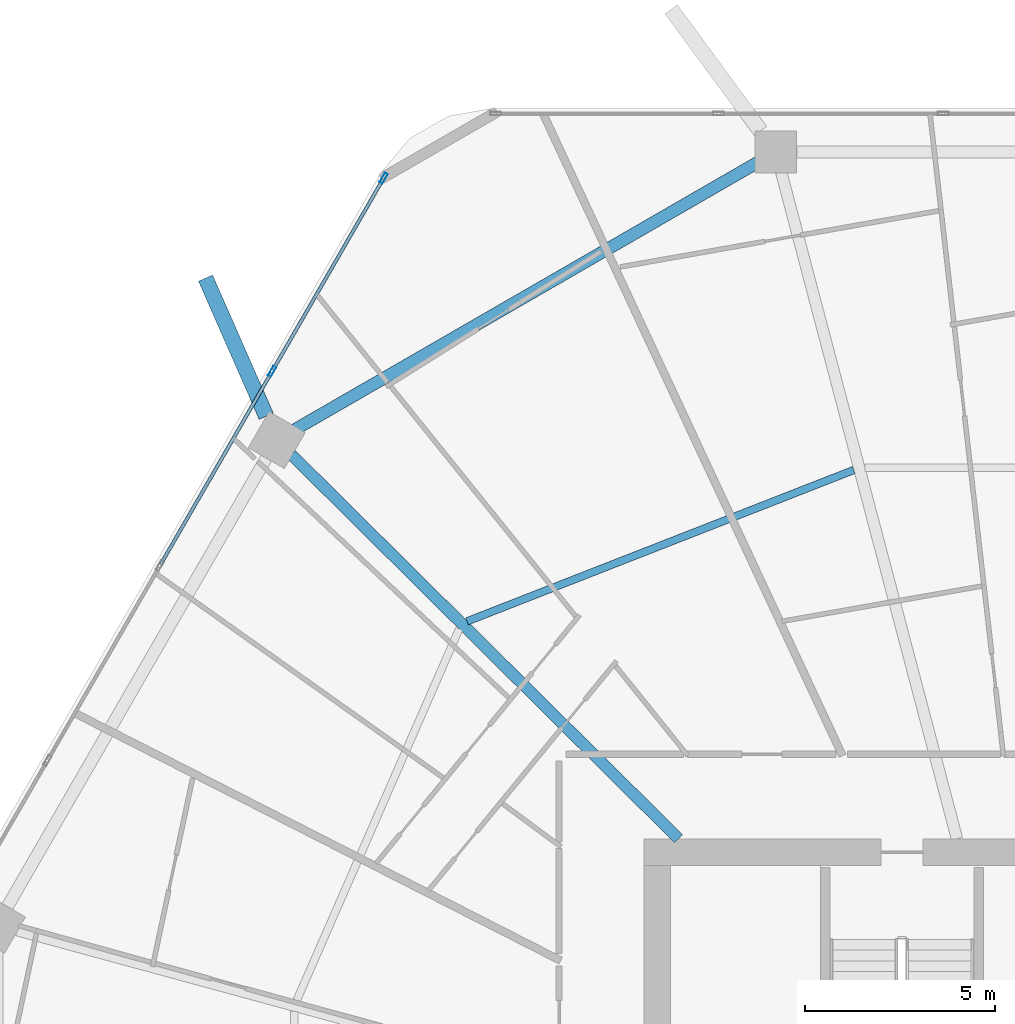
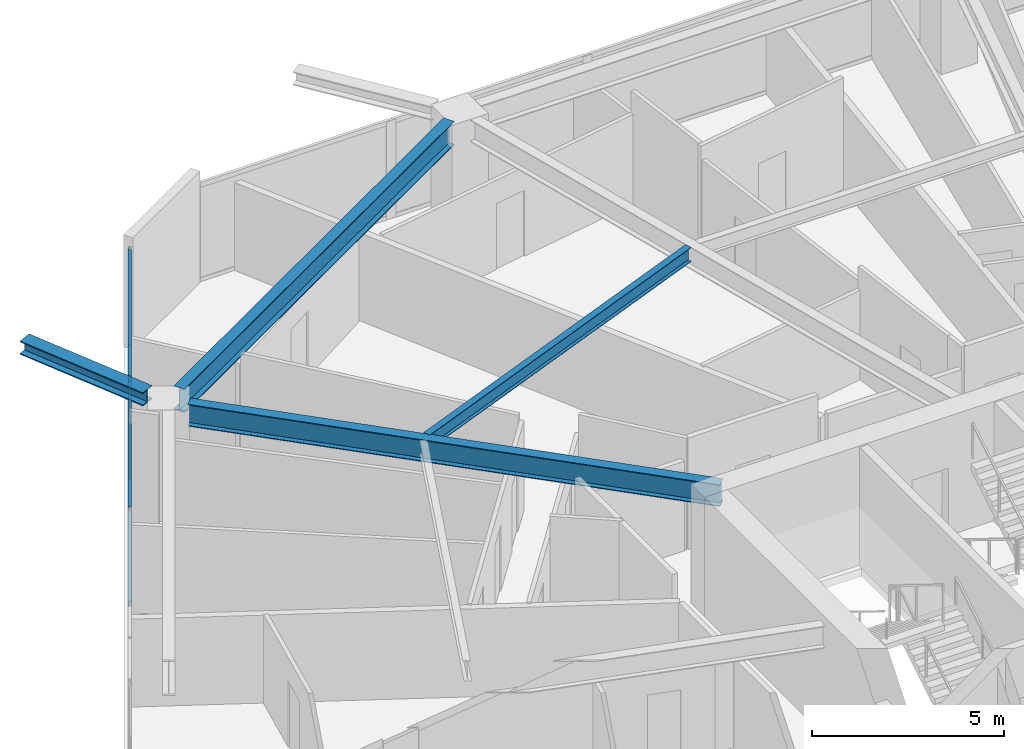
# One storey, part 13 of 29: 6 members, 4 beams, 1 element without a shape of its own.
"""IFC4 building model written with IfcOpenShell, lengths in metres."""

from ifc_helpers import new_model, si_unit, direction, frame, origin, origin_2d, place, context, subcontext, project, spatial, hollow_rectangle, i_section, extrude, material, material_profile, profile_set, type_object, element, aggregate, save


model = new_model("IFC4")

# Units and contexts
model_context = context("Model", 3, precision=1e-05, world=origin(), true_north=direction((0.0, 1.0)))
body_context = subcontext(model_context, "Body", "Model", "MODEL_VIEW")
ifc_project = project(units=[si_unit("LENGTHUNIT", "METRE"), si_unit("AREAUNIT", "SQUARE_METRE"), si_unit("VOLUMEUNIT", "CUBIC_METRE"), si_unit("PLANEANGLEUNIT", "RADIAN"), si_unit("MASSUNIT", "GRAM", prefix="KILO")], contexts=[model_context])

# Site, building, storey
site_placement = place(None, origin())
site = spatial("IfcSite", under=ifc_project, at=site_placement, CompositionType="ELEMENT")
building_placement = place(site_placement, origin())
building = spatial("IfcBuilding", under=site, at=building_placement, Name="Zuhravey Tower", CompositionType="ELEMENT")
storey_placement = place(building_placement, frame((0.0, 0.0, 134.199951171875)))
storey = spatial("IfcBuildingStorey", under=building, at=storey_placement, Name="L33", CompositionType="ELEMENT", Elevation=134.199951171875)

# Curtain wall, members
ifc_material_1 = material(Name="Thermally broken anodised aluminium", Category="aluminium")
curtain_wall_type = type_object("IfcCurtainWallType", Name="Zone 1-2 Residential Curtain Wall CW3", PredefinedType="NOTDEFINED", material=ifc_material_1)
curtain_wall_placement = place(storey_placement, origin())
curtain_wall = element("IfcCurtainWall", 1, at=curtain_wall_placement, inside=storey, type_object=curtain_wall_type, Name="L33 CW3 CW-L33-F3-1", PredefinedType="NOTDEFINED")
ifc_material_2 = material(Name="Anodised aluminium", Category="aluminium")
ifc_material_profile_1 = material_profile(ifc_material_2, hollow_rectangle(XDim=0.090087890625, YDim=0.284912109375, WallThickness=0.0048828125, at=origin_2d()), Name="ALU-RHS-90x285x5")
ifc_profile_set_1 = profile_set([ifc_material_profile_1], Name="Anodised aluminium")
member_type_1 = type_object("IfcMemberType", Name="Curtain-Wall Mullion 90x180", PredefinedType="MULLION", material=ifc_profile_set_1)
member_1_placement = place(storey_placement, frame((15.361083984375, 54.169189453125, 0.0), z_axis=(0.0, 0.0, 1.0), x_axis=(-0.86602552265, 0.499999794119, 0.0)))
member_1 = element("IfcMember", 2, at=member_1_placement, type_object=member_type_1, Name="CW3 mullion 5", PredefinedType="MULLION", context=body_context, shape_type="SweptSolid", body=[
    extrude(hollow_rectangle(XDim=0.090087890625, YDim=0.284912109375, WallThickness=0.0048828125, at=origin_2d()), origin(), (0.0, 0.0, 1.0), 3.1220703125),
])
member_2_placement = place(storey_placement, frame((18.298583984375, 59.257080078125, 0.0), z_axis=(0.0, 0.0, 1.0), x_axis=(-0.86602552265, 0.499999794119, 0.0)))
member_2 = element("IfcMember", 3, at=member_2_placement, type_object=member_type_1, Name="CW3 mullion 6", PredefinedType="MULLION", context=body_context, shape_type="SweptSolid", body=[
    extrude(hollow_rectangle(XDim=0.090087890625, YDim=0.284912109375, WallThickness=0.0048828125, at=origin_2d()), origin(), (0.0, 0.0, 1.0), 3.1220703125),
])
ifc_material_profile_2 = material_profile(ifc_material_2, hollow_rectangle(XDim=0.090087890625, YDim=0.14990234375, WallThickness=0.0048828125, at=origin_2d()), Name="ALU-RHS-90x150x5")
ifc_profile_set_2 = profile_set([ifc_material_profile_2], Name="Anodised aluminium")
member_type_2 = type_object("IfcMemberType", Name="Curtain-Wall Transom 90x150", PredefinedType="USERDEFINED", material=ifc_profile_set_2)
member_3_placement = place(storey_placement, frame((12.423583984375, 49.08154296875, 0.045166015625), z_axis=(0.500012451049, 0.866018215049, 0.0), x_axis=(-0.866018215049, 0.500012451049, 0.0)))
member_3 = element("IfcMember", 4, at=member_3_placement, type_object=member_type_2, Name="CW3 transom 4.1", ObjectType="TRANSOM", PredefinedType="USERDEFINED", context=body_context, shape_type="SweptSolid", body=[
    extrude(hollow_rectangle(XDim=0.090087890625, YDim=0.14990234375, WallThickness=0.0048828125, at=origin_2d()), origin(), (0.0, 0.0, 1.0), 5.829833984375),
])
member_4_placement = place(storey_placement, frame((12.423583984375, 49.08154296875, 3.0771484375), z_axis=(0.500012451049, 0.866018215049, 0.0), x_axis=(-0.866018215049, 0.500012451049, 0.0)))
member_4 = element("IfcMember", 5, at=member_4_placement, type_object=member_type_2, Name="CW3 transom 4.2", ObjectType="TRANSOM", PredefinedType="USERDEFINED", context=body_context, shape_type="SweptSolid", body=[
    extrude(hollow_rectangle(XDim=0.090087890625, YDim=0.14990234375, WallThickness=0.0048828125, at=origin_2d()), origin(), (0.0, 0.0, 1.0), 5.829833984375),
])
member_5_placement = place(storey_placement, frame((15.383544921875, 54.208251953125, 0.045166015625), z_axis=(0.499992798144, 0.866029561738, 0.0), x_axis=(-0.866029561738, 0.499992798144, 0.0)))
member_5 = element("IfcMember", 6, at=member_5_placement, type_object=member_type_2, Name="CW3 transom 5.1", ObjectType="TRANSOM", PredefinedType="USERDEFINED", context=body_context, shape_type="SweptSolid", body=[
    extrude(hollow_rectangle(XDim=0.090087890625, YDim=0.14990234375, WallThickness=0.0048828125, at=origin_2d()), origin(), (0.0, 0.0, 1.0), 5.78466796875),
])
member_6_placement = place(storey_placement, frame((15.383544921875, 54.208251953125, 3.0771484375), z_axis=(0.499992798144, 0.866029561738, 0.0), x_axis=(-0.866029561738, 0.499992798144, 0.0)))
member_6 = element("IfcMember", 7, at=member_6_placement, type_object=member_type_2, Name="CW3 transom 5.2", ObjectType="TRANSOM", PredefinedType="USERDEFINED", context=body_context, shape_type="SweptSolid", body=[
    extrude(hollow_rectangle(XDim=0.090087890625, YDim=0.14990234375, WallThickness=0.0048828125, at=origin_2d()), origin(), (0.0, 0.0, 1.0), 5.78466796875),
])
aggregate(curtain_wall, [member_1, member_2, member_3, member_4, member_5, member_6])

# Beams
ifc_material_3 = material(Name="Steel SM460", Category="steel")
ifc_material_profile_3 = material_profile(ifc_material_3, i_section(OverallWidth=0.406982421875, OverallDepth=0.427978515625, WebThickness=0.02001953125, FlangeThickness=0.034912109375, at=origin_2d()), Name="H-428x407x20x35")
ifc_profile_set_3 = profile_set([ifc_material_profile_3], Name="Steel SM460")
beam_type_1 = type_object("IfcBeamType", Name="Exoskeleton Node Tie Beam H428x407", PredefinedType="BEAM", material=ifc_profile_set_3)
beam_1_placement = place(storey_placement, frame((15.204833984375, 52.985107421875, 3.3359375), z_axis=(-0.402345456296, 0.915487921164, 0.0), x_axis=(-0.915487921164, -0.402345456296, 0.0)))
element("IfcBeam", 8, at=beam_1_placement, inside=storey, type_object=beam_type_1, Name="L33 Exoskeleton Node Tie NT1-05", PredefinedType="BEAM", context=body_context, shape_type="SweptSolid", body=[
    extrude(i_section(OverallWidth=0.406982421875, OverallDepth=0.427978515625, WebThickness=0.02001953125, FlangeThickness=0.034912109375, at=origin_2d()), origin(), (0.0, 0.0, 1.0), 3.97509765625),
])
ifc_material_4 = material(Name="Steel SM355", Category="steel")
ifc_material_profile_4 = material_profile(ifc_material_4, i_section(OverallWidth=0.320068359375, OverallDepth=0.75, WebThickness=0.013916015625, FlangeThickness=0.02490234375, at=origin_2d()), Name="H-750x320x14x25")
ifc_profile_set_4 = profile_set([ifc_material_profile_4], Name="Steel SM355")
beam_type_2 = type_object("IfcBeamType", Name="Perimeter Ring Beam H750x320", PredefinedType="BEAM", material=ifc_profile_set_4)
beam_2_placement = place(storey_placement, frame((28.151123046875, 59.672119140625, 3.175048828125), z_axis=(-0.866017786538, -0.500013193225, 0.0), x_axis=(0.500013193225, -0.866017786538, 0.0)))
element("IfcBeam", 9, at=beam_2_placement, inside=storey, type_object=beam_type_2, Name="L33 PB1 BM-L33-PB-04", PredefinedType="BEAM", context=body_context, shape_type="SweptSolid", body=[
    extrude(i_section(OverallWidth=0.320068359375, OverallDepth=0.75, WebThickness=0.013916015625, FlangeThickness=0.02490234375, at=origin_2d()), origin(), (0.0, 0.0, 1.0), 14.0771484375),
])
ifc_material_profile_5 = material_profile(ifc_material_4, i_section(OverallWidth=0.300048828125, OverallDepth=0.699951171875, WebThickness=0.012939453125, FlangeThickness=0.02392578125, at=origin_2d()), Name="H-700x300x13x24")
ifc_profile_set_5 = profile_set([ifc_material_profile_5], Name="Steel SM355")
beam_type_3 = type_object("IfcBeamType", Name="Radial Primary Girder H700x300", PredefinedType="BEAM", material=ifc_profile_set_5)
beam_3_placement = place(storey_placement, frame((26.068603515625, 41.85302734375, 3.199951171875), z_axis=(-0.709906230344, 0.704296204816, 0.0), x_axis=(-0.704296204816, -0.709906230344, 0.0)))
element("IfcBeam", 10, at=beam_3_placement, inside=storey, type_object=beam_type_3, Name="L33 RG1 BM-L33-RAD-05", PredefinedType="BEAM", context=body_context, shape_type="SweptSolid", body=[
    extrude(i_section(OverallWidth=0.300048828125, OverallDepth=0.699951171875, WebThickness=0.012939453125, FlangeThickness=0.02392578125, at=origin_2d()), origin(), (0.0, 0.0, 1.0), 14.361083984375),
])
ifc_material_profile_6 = material_profile(ifc_material_4, i_section(OverallWidth=0.199951171875, OverallDepth=0.449951171875, WebThickness=0.009033203125, FlangeThickness=0.013916015625, at=origin_2d()), Name="H-450x200x9x14")
ifc_profile_set_6 = profile_set([ifc_material_profile_6], Name="Steel SM355")
beam_type_4 = type_object("IfcBeamType", Name="Secondary Floor Joist H450x200", PredefinedType="JOIST", material=ifc_profile_set_6)
beam_4_placement = place(storey_placement, frame((30.681640625, 51.568359375, 3.324951171875), z_axis=(-0.931216764731, -0.364465824302, 0.0), x_axis=(0.364465824302, -0.931216764731, 0.0)))
element("IfcBeam", 11, at=beam_4_placement, inside=storey, type_object=beam_type_4, Name="L33 SJ1 BM-L33-SJ-04-1", PredefinedType="JOIST", context=body_context, shape_type="SweptSolid", body=[
    extrude(i_section(OverallWidth=0.199951171875, OverallDepth=0.449951171875, WebThickness=0.009033203125, FlangeThickness=0.013916015625, at=origin_2d()), origin(), (0.0, 0.0, 1.0), 10.939453125),
])

save(model, "model.ifc")
